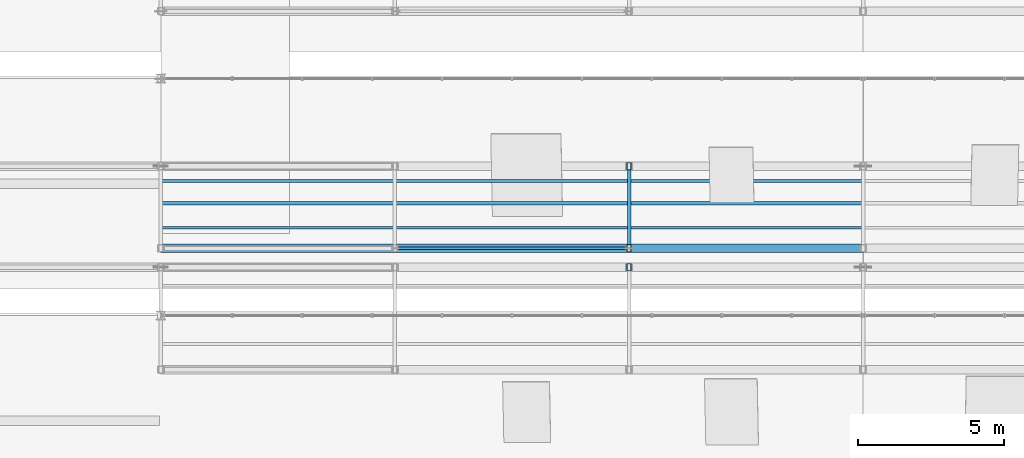
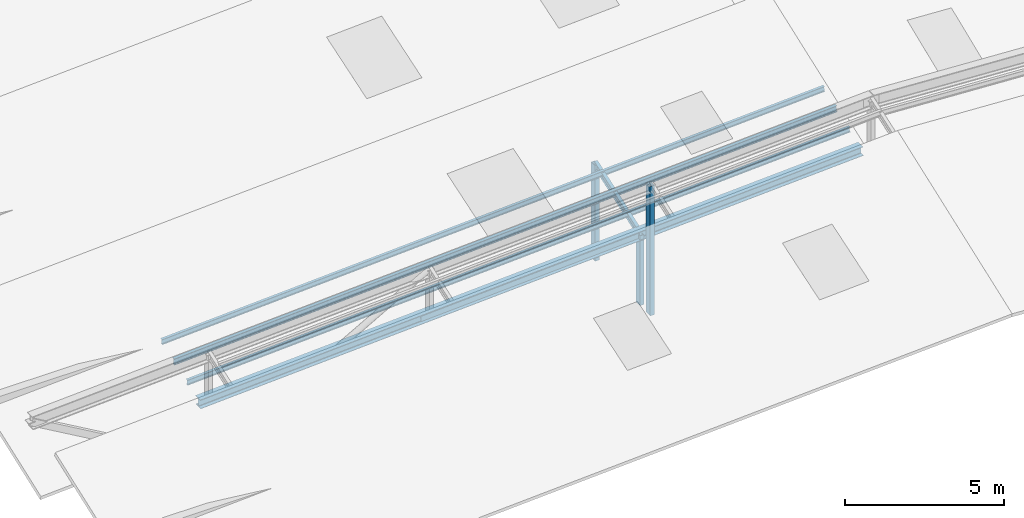
# One storey, part 15 of 141: 9 members.
"""IFC4 building model written with IfcOpenShell, lengths in metres."""

from ifc_helpers import new_model, si_unit, direction, frame, origin, origin_2d, place, context, subcontext, project, spatial, hollow_rectangle, i_section, extrude, material, material_profile, profile_set, type_object, element, save


model = new_model("IFC4")

# Units and contexts
model_context = context("Model", 3, precision=1e-05, world=origin(), true_north=direction((0.0, 1.0)))
body_context = subcontext(model_context, "Body", "Model", "MODEL_VIEW")
ifc_project = project(units=[si_unit("LENGTHUNIT", "METRE"), si_unit("AREAUNIT", "SQUARE_METRE"), si_unit("VOLUMEUNIT", "CUBIC_METRE"), si_unit("PLANEANGLEUNIT", "RADIAN"), si_unit("MASSUNIT", "GRAM", prefix="KILO")], contexts=[model_context])

# Site, building, storey
site_placement = place(None, origin())
site = spatial("IfcSite", under=ifc_project, at=site_placement, CompositionType="ELEMENT")
building_placement = place(site_placement, origin())
building = spatial("IfcBuilding", under=site, at=building_placement, Name="Sundkrona Museum", CompositionType="ELEMENT")
storey_placement = place(building_placement, frame((0.0, 0.0, 34.0)))
storey = spatial("IfcBuildingStorey", under=building, at=storey_placement, Name="RF", CompositionType="ELEMENT", Elevation=34.0)

# Members
ifc_material = material(Name="Steel S355J2", Category="steel")
ifc_material_profile_1 = material_profile(ifc_material, i_section(OverallWidth=0.10009765625, OverallDepth=0.199951171875, WebThickness=0.005615234375, FlangeThickness=0.008544921875, FilletRadius=0.011962890625, at=origin_2d()), Name="IPE 200")
ifc_profile_set_1 = profile_set([ifc_material_profile_1], Name="Steel S355J2")
member_type_1 = type_object("IfcMemberType", Name="PR-IPE200", PredefinedType="PURLIN", material=ifc_profile_set_1)
for number, where, z_axis, x_axis, name in (
    (1, (120.0, 5.199951171875, 1.899658203125), (0.998539934522, 0.0, 0.054018507607), (0.0, 1.0, 0.0), "RFS-1 Sawtooth Blade 2W Roof Purlin 1"),
    (2, (120.0, 6.7958984375, 2.487060546875), (0.998539934522, 0.0, 0.054018507607), (0.0, 1.0, 0.0), "RFS-1 Sawtooth Blade 2W Roof Purlin 3"),
):
    element("IfcMember", number, at=place(storey_placement, frame(where, z_axis=z_axis, x_axis=x_axis)), inside=storey, type_object=member_type_1, Name=name, PredefinedType="PURLIN", context=body_context, shape_type="SweptSolid", body=[
        extrude(i_section(OverallWidth=0.10009765625, OverallDepth=0.199951171875, WebThickness=0.005615234375, FlangeThickness=0.008544921875, FilletRadius=0.011962890625, at=origin_2d()), origin(), (0.0, 0.0, 1.0), 24.03515625),
    ])
ifc_material_profile_2 = material_profile(ifc_material, i_section(OverallWidth=0.1201171875, OverallDepth=0.239990234375, WebThickness=0.006103515625, FlangeThickness=0.009765625, FilletRadius=0.014892578125, at=origin_2d()), Name="IPE 240")
ifc_profile_set_2 = profile_set([ifc_material_profile_2], Name="Steel S355J2")
member_type_2 = type_object("IfcMemberType", Name="PR-IPE240", PredefinedType="PURLIN", material=ifc_profile_set_2)
member_1_placement = place(storey_placement, frame((136.0, 4.5, 2.422607421875), z_axis=(0.0, 0.942754878846, 0.333486489099), x_axis=(-1.0, 0.0, 0.0)))
element("IfcMember", 3, at=member_1_placement, inside=storey, type_object=member_type_2, Name="RFS-1 Sawtooth Bay 2 Transverse Rafter 3", PredefinedType="PURLIN", context=body_context, shape_type="SweptSolid", body=[
    extrude(i_section(OverallWidth=0.1201171875, OverallDepth=0.239990234375, WebThickness=0.006103515625, FlangeThickness=0.009765625, FilletRadius=0.014892578125, at=origin_2d()), origin(), (0.0, 0.0, 1.0), 2.969970703125),
])
member_2_placement = place(storey_placement, frame((120.0, 6.0400390625, 2.188720703125), z_axis=(0.998539934522, 0.0, 0.054018507607), x_axis=(0.0, 1.0, 0.0)))
element("IfcMember", 4, at=member_2_placement, inside=storey, type_object=member_type_2, Name="RFS-1 Sawtooth Blade 2W Roof Purlin 2", PredefinedType="PURLIN", context=body_context, shape_type="SweptSolid", body=[
    extrude(i_section(OverallWidth=0.1201171875, OverallDepth=0.239990234375, WebThickness=0.006103515625, FlangeThickness=0.009765625, FilletRadius=0.014892578125, at=origin_2d()), origin(), (0.0, 0.0, 1.0), 24.03515625),
])
ifc_material_profile_3 = material_profile(ifc_material, hollow_rectangle(XDim=0.10009765625, YDim=0.199951171875, WallThickness=0.008056640625, at=origin_2d()), Name="RHS 200x100x8.0")
ifc_profile_set_3 = profile_set([ifc_material_profile_3], Name="Steel S355J2")
member_type_3 = type_object("IfcMemberType", Name="PR-RHS200", PredefinedType="PURLIN", material=ifc_profile_set_3)
member_3_placement = place(storey_placement, frame((128.0400390625, 4.5, 1.951904296875), z_axis=(0.998539806158, 0.0, 0.054020880389), x_axis=(0.0, 1.0, 0.0)))
element("IfcMember", 5, at=member_3_placement, inside=storey, type_object=member_type_3, Name="RFS-1 Sawtooth Bay 2 Valley Trim Purlin", PredefinedType="PURLIN", context=body_context, shape_type="SweptSolid", body=[
    extrude(hollow_rectangle(XDim=0.10009765625, YDim=0.199951171875, WallThickness=0.008056640625, at=origin_2d()), origin(), (0.0, 0.0, 1.0), 7.931396484375),
])
ifc_material_profile_4 = material_profile(ifc_material, hollow_rectangle(XDim=0.14990234375, YDim=0.25, WallThickness=0.010009765625, at=origin_2d()), Name="RHS 250x150x10.0")
ifc_profile_set_4 = profile_set([ifc_material_profile_4], Name="Steel S355J2")
member_type_4 = type_object("IfcMemberType", Name="ST-RHS250", PredefinedType="STRUT", material=ifc_profile_set_4)
member_4_placement = place(storey_placement, frame((136.0, 3.85009765625, -0.25), z_axis=(0.0, 0.0, 1.0), x_axis=(1.0, 0.0, 0.0)))
element("IfcMember", 6, at=member_4_placement, inside=storey, type_object=member_type_4, Name="RFS-1 Sawtooth Truss 1 Vertical Post 3", PredefinedType="STRUT", context=body_context, shape_type="SweptSolid", body=[
    extrude(hollow_rectangle(XDim=0.14990234375, YDim=0.25, WallThickness=0.010009765625, at=origin_2d()), origin(), (0.0, 0.0, 1.0), 4.95458984375),
])
member_5_placement = place(storey_placement, frame((136.0, 7.300048828125, -0.25), z_axis=(0.0, 0.0, 1.0), x_axis=(1.0, 0.0, 0.0)))
element("IfcMember", 7, at=member_5_placement, inside=storey, type_object=member_type_4, Name="RFS-1 Sawtooth Truss 2 Vertical Post 3", PredefinedType="STRUT", context=body_context, shape_type="SweptSolid", body=[
    extrude(hollow_rectangle(XDim=0.14990234375, YDim=0.25, WallThickness=0.010009765625, at=origin_2d()), origin(), (0.0, 0.0, 1.0), 3.6630859375),
])
member_6_placement = place(storey_placement, frame((136.0, 4.5, -0.25), z_axis=(0.0, 0.0, 1.0), x_axis=(1.0, 0.0, 0.0)))
element("IfcMember", 8, at=member_6_placement, inside=storey, type_object=member_type_4, Name="RFS-1 Sawtooth Bay 2 Valley Post 3", PredefinedType="STRUT", context=body_context, shape_type="SweptSolid", body=[
    extrude(hollow_rectangle(XDim=0.14990234375, YDim=0.25, WallThickness=0.010009765625, at=origin_2d()), origin(), (0.0, 0.0, 1.0), 2.672607421875),
])
ifc_material_profile_5 = material_profile(ifc_material, i_section(OverallWidth=0.300048828125, OverallDepth=0.35009765625, WebThickness=0.010009765625, FlangeThickness=0.017578125, FilletRadius=0.027099609375, at=origin_2d()), Name="HEA 360")
ifc_profile_set_5 = profile_set([ifc_material_profile_5], Name="Steel S355J2")
member_type_5 = type_object("IfcMemberType", Name="TC-HEA360", PredefinedType="CHORD", material=ifc_profile_set_5)
member_7_placement = place(storey_placement, frame((120.0, 4.5, 1.556884765625), z_axis=(0.998539934522, 0.0, 0.054018507607), x_axis=(0.0, 1.0, 0.0)))
element("IfcMember", 9, at=member_7_placement, inside=storey, type_object=member_type_5, Name="RFS-1 Sawtooth Valley Truss 2 West Top Chord", PredefinedType="CHORD", context=body_context, shape_type="SweptSolid", body=[
    extrude(i_section(OverallWidth=0.300048828125, OverallDepth=0.35009765625, WebThickness=0.010009765625, FlangeThickness=0.017578125, FilletRadius=0.027099609375, at=origin_2d()), origin(), (0.0, 0.0, 1.0), 24.03515625),
])

save(model, "model.ifc")
